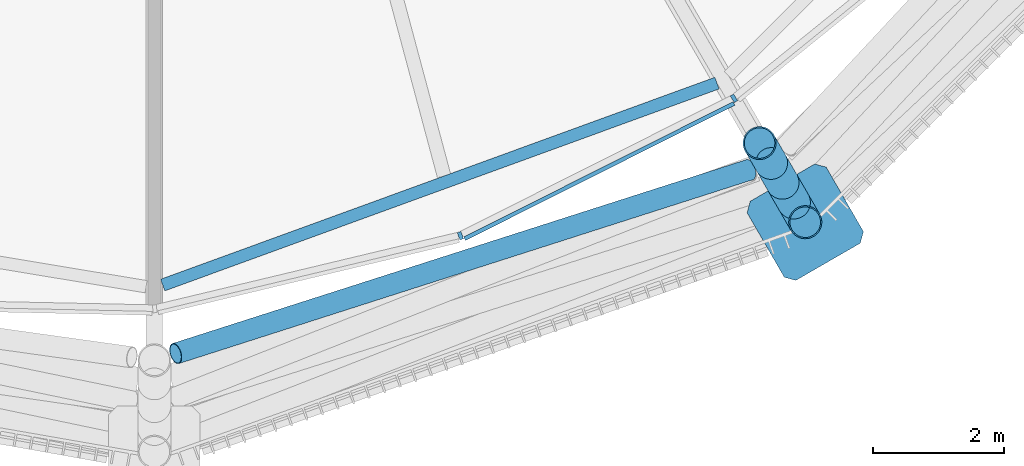
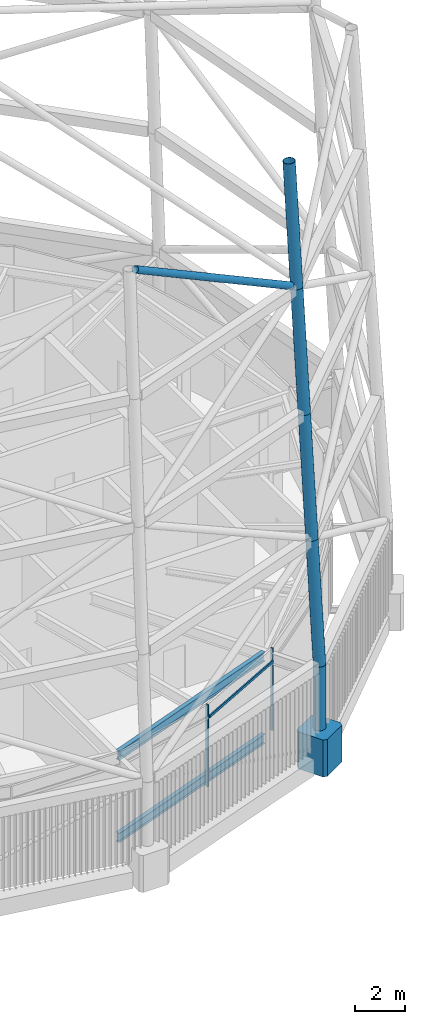
# One storey, part 43 of 71: 10 members, 2 beams, 1 element without a shape of its own.
"""IFC4 building model written with IfcOpenShell, lengths in metres."""

from ifc_helpers import new_model, si_unit, direction, frame, origin, origin_2d, place, context, subcontext, project, spatial, polyline, rectangle, hollow_circle, i_section, outline, extrude, material, material_profile, profile_set, type_object, element, aggregate, save


model = new_model("IFC4")

# Units and contexts
model_context = context("Model", 3, precision=1e-05, world=origin(), true_north=direction((0.0, 1.0)))
body_context = subcontext(model_context, "Body", "Model", "MODEL_VIEW")
ifc_project = project(units=[si_unit("LENGTHUNIT", "METRE"), si_unit("AREAUNIT", "SQUARE_METRE"), si_unit("VOLUMEUNIT", "CUBIC_METRE"), si_unit("PLANEANGLEUNIT", "RADIAN"), si_unit("MASSUNIT", "GRAM", prefix="KILO")], contexts=[model_context])

# Site, building, storey
site_placement = place(None, origin())
site = spatial("IfcSite", under=ifc_project, at=site_placement, CompositionType="ELEMENT")
building_placement = place(site_placement, origin())
building = spatial("IfcBuilding", under=site, at=building_placement, Name="Rimbun Link Towers", CompositionType="ELEMENT")
storey_placement = place(building_placement, frame((0.0, 0.0, 267.60009765625)))
storey = spatial("IfcBuildingStorey", under=building, at=storey_placement, Name="L65", CompositionType="ELEMENT", Elevation=267.60009765625)

# Curtain wall, members
ifc_material_1 = material(Name="Aluminium 6063-T6 louvre wall", Category="aluminium")
curtain_wall_type = type_object("IfcCurtainWallType", Name="CW6 plant floor louvre wall", PredefinedType="NOTDEFINED", material=ifc_material_1)
curtain_wall_placement = place(storey_placement, origin())
curtain_wall = element("IfcCurtainWall", 1, at=curtain_wall_placement, inside=storey, type_object=curtain_wall_type, Name="CW6 L65 T2", PredefinedType="NOTDEFINED")
ifc_material_2 = material(Name="Aluminium 6063-T6", Category="aluminium")
ifc_material_profile_1 = material_profile(ifc_material_2, rectangle(XDim=0.1201171875, YDim=0.06005859375, at=origin_2d()), Name="MULLION 60X120")
ifc_profile_set_1 = profile_set([ifc_material_profile_1], Name="Aluminium 6063-T6")
member_type_1 = type_object("IfcMemberType", Name="CW6 mullion 60X120", PredefinedType="MULLION", material=ifc_profile_set_1)
member_1_placement = place(storey_placement, frame((36.439208984375, -17.480224609375, 0.0), z_axis=(0.0, 0.0, 1.0), x_axis=(0.342961619779, -0.939349417075, 0.0)))
member_1 = element("IfcMember", 2, at=member_1_placement, type_object=member_type_1, Name="CW6 mullion", PredefinedType="MULLION", context=body_context, shape_type="SweptSolid", body=[
    extrude(rectangle(XDim=0.1201171875, YDim=0.06005859375, at=origin_2d()), origin(), (0.0, 0.0, 1.0), 4.0),
])
member_2_placement = place(storey_placement, frame((40.630615234375, -15.375732421875, 0.0), z_axis=(0.0, 0.0, 1.0), x_axis=(0.542101014777, -0.840313328335, 0.0)))
member_2 = element("IfcMember", 3, at=member_2_placement, type_object=member_type_1, Name="CW6 mullion", PredefinedType="MULLION", context=body_context, shape_type="SweptSolid", body=[
    extrude(rectangle(XDim=0.1201171875, YDim=0.06005859375, at=origin_2d()), origin(), (0.0, 0.0, 1.0), 4.0),
])
ifc_material_3 = material(Name="Aluminium 6063-T6", Category="aluminium")
ifc_material_profile_2 = material_profile(ifc_material_3, rectangle(XDim=0.06005859375, YDim=0.1201171875, at=origin_2d()), Name="TRANSOM 60X120")
ifc_profile_set_2 = profile_set([ifc_material_profile_2], Name="Aluminium 6063-T6")
member_type_2 = type_object("IfcMemberType", Name="CW6 transom 60X120", PredefinedType="USERDEFINED", material=ifc_profile_set_2)
member_3_placement = place(storey_placement, frame((40.629638671875, -15.454833984375, 3.39990234375), z_axis=(-0.893653780124, -0.448757084924, 0.0), x_axis=(0.448757084924, -0.893653780124, 0.0)))
member_3 = element("IfcMember", 4, at=member_3_placement, type_object=member_type_2, Name="CW6 transom", ObjectType="TRANSOM", PredefinedType="USERDEFINED", context=body_context, shape_type="SweptSolid", body=[
    extrude(rectangle(XDim=0.06005859375, YDim=0.1201171875, at=origin_2d()), origin(), (0.0, 0.0, 1.0), 4.61669921875),
])
aggregate(curtain_wall, [member_1, member_2, member_3])

# Members
ifc_material_4 = material(Name="Steel S355J2H", Category="steel")
ifc_material_profile_3 = material_profile(ifc_material_4, hollow_circle(Radius=0.161865234375, WallThickness=0.011962890625, at=origin_2d()), Name="Crown frame brace CHS 324x12")
ifc_profile_set_3 = profile_set([ifc_material_profile_3], Name="Steel S355J2H")
member_type_3 = type_object("IfcMemberType", Name="Crown frame brace CHS 324x12", PredefinedType="BRACE", material=ifc_profile_set_3)
member_4_placement = place(storey_placement, frame((40.8720703125, -16.46875, 22.206787109375), z_axis=(-0.814893729942, -0.261008455509, 0.517515985312), x_axis=(0.305032753362, -0.952341860561, 0.0)))
element("IfcMember", 5, at=member_4_placement, inside=storey, type_object=member_type_3, Name="CROWN FRAME brace T2 5-07", PredefinedType="BRACE", context=body_context, shape_type="SweptSolid", body=[
    extrude(hollow_circle(Radius=0.161865234375, WallThickness=0.011962890625, at=origin_2d()), origin(), (0.0, 0.0, 1.0), 10.794189453125),
])
ifc_material_5 = material(Name="Steel S355J2H", Category="steel")
ifc_material_profile_4 = material_profile(ifc_material_5, hollow_circle(Radius=0.25390625, WallThickness=0.02001953125, at=origin_2d()), Name="Crown frame post CHS 508x20")
ifc_profile_set_4 = profile_set([ifc_material_profile_4], Name="Steel S355J2H")
member_type_4 = type_object("IfcMemberType", Name="Crown frame post CHS 508x20", PredefinedType="POST", material=ifc_profile_set_4)
member_5_placement = place(storey_placement, frame((41.722900390625, -17.273681640625, 0.0), z_axis=(0.0, 0.0, 1.0), x_axis=(1.0, 0.0, 0.0)))
element("IfcMember", 6, at=member_5_placement, inside=storey, type_object=member_type_4, Name="CROWN FRAME post T2 1-08", PredefinedType="POST", context=body_context, shape_type="SweptSolid", body=[
    extrude(hollow_circle(Radius=0.25390625, WallThickness=0.02001953125, at=origin_2d()), origin(), (0.0, 0.0, 1.0), 4.0),
])
for number, where, z_axis, x_axis, name in (
    (7, (41.722900390625, -17.273681640625, 4.0), (-0.029084731587, 0.050410826675, 0.99830497692), (-0.866173965983, -0.499742594395, 0.0), "CROWN FRAME post T2 2-08"),
    (8, (41.548095703125, -16.970703125, 10.0), (-0.029125258621, 0.050451284808, 0.998301751562), (-0.866046247233, -0.49996389635, 0.0), "CROWN FRAME post T2 3-08"),
    (9, (41.373046875, -16.66748046875, 16.0), (-0.029125318286, 0.050410767075, 0.998303796646), (-0.865871789474, -0.500265973451, 0.0), "CROWN FRAME post T2 4-08"),
    (10, (41.197998046875, -16.364501953125, 22.0), (-0.029125258621, 0.050451284808, 0.998301751562), (-0.866046247233, -0.49996389635, 0.0), "CROWN FRAME post T2 5-08"),
):
    element("IfcMember", number, at=place(storey_placement, frame(where, z_axis=z_axis, x_axis=x_axis)), inside=storey, type_object=member_type_4, Name=name, PredefinedType="POST", context=body_context, shape_type="SweptSolid", body=[
        extrude(hollow_circle(Radius=0.25390625, WallThickness=0.02001953125, at=origin_2d()), origin(), (0.0, 0.0, 1.0), 6.01025390625),
    ])
ifc_material_6 = material(Name="Cast steel G20Mn5+QT, Rp0.2 300 MPa", Category="steel")
ifc_material_profile_5 = material_profile(ifc_material_6, outline(polyline([(0.699951171875, -0.570068359375), (0.699951171875, 0.570068359375), (0.570068359375, 0.699951171875), (-0.570068359375, 0.699951171875), (-0.699951171875, 0.570068359375), (-0.699951171875, -0.570068359375), (-0.570068359375, -0.699951171875), (0.570068359375, -0.699951171875), (0.699951171875, -0.570068359375)])), Name="NODE 1400x1400")
ifc_profile_set_5 = profile_set([ifc_material_profile_5], Name="Cast steel G20Mn5+QT, Rp0.2 300 MPa")
member_type_5 = type_object("IfcMemberType", Name="Diagrid node cast 1400", PredefinedType="USERDEFINED", material=ifc_profile_set_5)
member_6_placement = place(storey_placement, frame((41.722900390625, -17.273681640625, -0.900146484375), z_axis=(0.0, 0.0, 1.0), x_axis=(0.5, -0.866025403784, 0.0)))
element("IfcMember", 11, at=member_6_placement, inside=storey, type_object=member_type_5, Name="Diagrid node L65 17", ObjectType="Diagrid node", PredefinedType="USERDEFINED", context=body_context, shape_type="SweptSolid", body=[
    extrude(outline(polyline([(0.699951171875, -0.570068359375), (0.699951171875, 0.570068359375), (0.570068359375, 0.699951171875), (-0.570068359375, 0.699951171875), (-0.699951171875, 0.570068359375), (-0.699951171875, -0.570068359375), (-0.570068359375, -0.699951171875), (0.570068359375, -0.699951171875), (0.699951171875, -0.570068359375)])), origin(), (0.0, 0.0, 1.0), 1.800048828125),
])

# Beams
ifc_material_7 = material(Name="Steel S355J2", Category="steel")
ifc_material_profile_6 = material_profile(ifc_material_7, i_section(OverallWidth=0.18994140625, OverallDepth=0.453369140625, WebThickness=0.008544921875, FlangeThickness=0.0126953125, at=origin_2d()), Name="UB 457x191x67")
ifc_profile_set_6 = profile_set([ifc_material_profile_6], Name="Steel S355J2")
beam_type = type_object("IfcBeamType", Name="UB 457x191x67", PredefinedType="BEAM", material=ifc_profile_set_6)
for number, where, z_axis, x_axis, name in (
    (12, (31.877685546875, -18.23681640625, -0.4267578125), (0.939583478339, 0.342319860996, 0.0), (-0.342319860996, 0.939583478339, 0.0), "Edge beam T2 L65 15-17"),
    (13, (31.877685546875, -18.23681640625, 3.5732421875), (0.939583478339, 0.342319860996, 0.0), (-0.342319860996, 0.939583478339, 0.0), "Edge beam T2 L65 15-17"),
):
    element("IfcBeam", number, at=place(storey_placement, frame(where, z_axis=z_axis, x_axis=x_axis)), inside=storey, type_object=beam_type, Name=name, PredefinedType="BEAM", context=body_context, shape_type="SweptSolid", body=[
        extrude(i_section(OverallWidth=0.18994140625, OverallDepth=0.453369140625, WebThickness=0.008544921875, FlangeThickness=0.0126953125, at=origin_2d()), origin(), (0.0, 0.0, 1.0), 9.0390625),
    ])

save(model, "model.ifc")
